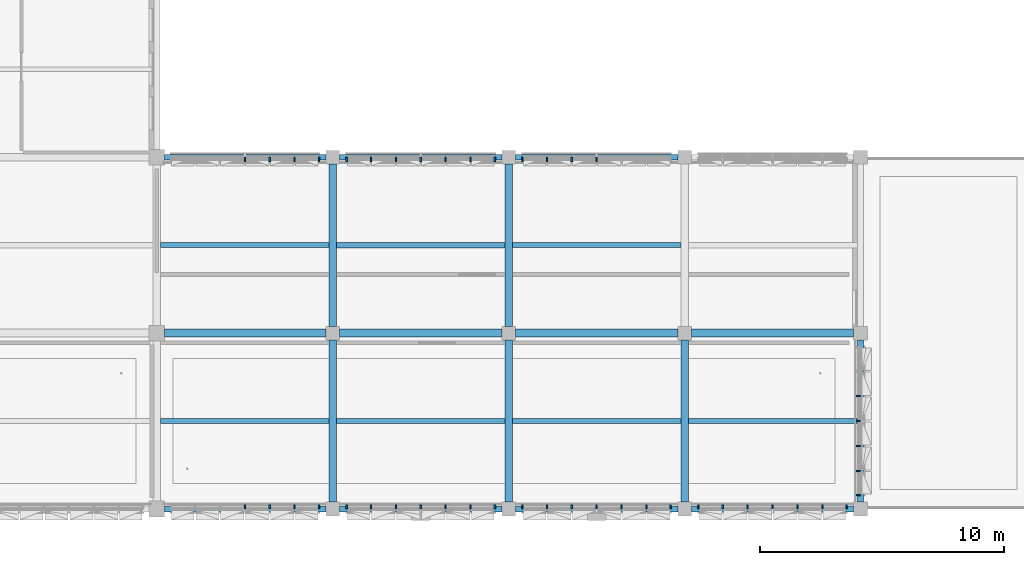
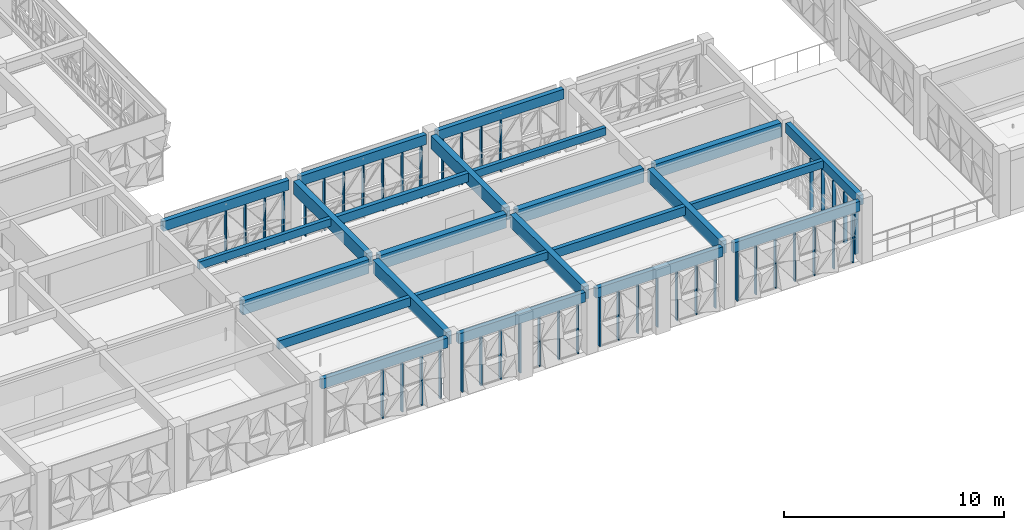
# One storey, part 4 of 85: 45 members, 24 beams, 8 elements without a shape of their own.
"""IFC4 building model written with IfcOpenShell, lengths in metres."""

from ifc_helpers import new_model, si_unit, direction, frame, origin, origin_2d, place, context, subcontext, project, spatial, rectangle, extrude, material, material_profile, profile_set, type_object, element, aggregate, save


model = new_model("IFC4")

# Units and contexts
model_context = context("Model", 3, precision=1e-05, world=origin(), true_north=direction((0.0, 1.0)))
body_context = subcontext(model_context, "Body", "Model", "MODEL_VIEW")
ifc_project = project(units=[si_unit("LENGTHUNIT", "METRE"), si_unit("AREAUNIT", "SQUARE_METRE"), si_unit("VOLUMEUNIT", "CUBIC_METRE"), si_unit("PLANEANGLEUNIT", "RADIAN"), si_unit("MASSUNIT", "GRAM", prefix="KILO")], contexts=[model_context])

# Site, building, storey
site_placement = place(None, origin())
site = spatial("IfcSite", under=ifc_project, at=site_placement, CompositionType="ELEMENT")
building_placement = place(site_placement, origin())
building = spatial("IfcBuilding", under=site, at=building_placement, Name="Alvorim Cloister Faculty of Sciences", CompositionType="ELEMENT")
storey_placement = place(building_placement, frame((0.0, 0.0, 8.550048828125)))
storey = spatial("IfcBuildingStorey", under=building, at=storey_placement, Name="L02", CompositionType="ELEMENT", Elevation=8.550048828125)

# Beams
ifc_material_1 = material(Name="Glulam GL32h", Category="wood")
ifc_material_profile_1 = material_profile(ifc_material_1, rectangle(XDim=0.300048828125, YDim=0.719970703125, at=origin_2d()), Name="GL32-BM-300x720")
ifc_profile_set_1 = profile_set([ifc_material_profile_1], Name="Glulam GL32h")
beam_type_1 = type_object("IfcBeamType", Name="BM-GL-300x720", PredefinedType="BEAM", material=ifc_profile_set_1)
beam_1_placement = place(storey_placement, frame((36.0, 0.280029296875, 3.030029296875), z_axis=(0.0, 1.0, 0.0), x_axis=(-1.0, 0.0, 0.0)))
element("IfcBeam", 1, at=beam_1_placement, inside=storey, type_object=beam_type_1, Name="L02 Primary Girder BM-1409", PredefinedType="BEAM", context=body_context, shape_type="SweptSolid", body=[
    extrude(rectangle(XDim=0.300048828125, YDim=0.719970703125, at=origin_2d()), origin(), (0.0, 0.0, 1.0), 6.639892578125),
])
beam_2_placement = place(storey_placement, frame((36.0, 7.47998046875, 3.030029296875), z_axis=(0.0, 1.0, 0.0), x_axis=(-1.0, 0.0, 0.0)))
element("IfcBeam", 2, at=beam_2_placement, inside=storey, type_object=beam_type_1, Name="L02 Primary Girder BM-1410", PredefinedType="BEAM", context=body_context, shape_type="SweptSolid", body=[
    extrude(rectangle(XDim=0.300048828125, YDim=0.719970703125, at=origin_2d()), origin(), (0.0, 0.0, 1.0), 6.64013671875),
])
beam_3_placement = place(storey_placement, frame((43.199951171875, 0.280029296875, 3.030029296875), z_axis=(0.0, 1.0, 0.0), x_axis=(-1.0, 0.0, 0.0)))
element("IfcBeam", 3, at=beam_3_placement, inside=storey, type_object=beam_type_1, Name="L02 Primary Girder BM-1413", PredefinedType="BEAM", context=body_context, shape_type="SweptSolid", body=[
    extrude(rectangle(XDim=0.300048828125, YDim=0.719970703125, at=origin_2d()), origin(), (0.0, 0.0, 1.0), 6.639892578125),
])
beam_4_placement = place(storey_placement, frame((43.199951171875, 7.47998046875, 3.030029296875), z_axis=(0.0, 1.0, 0.0), x_axis=(-1.0, 0.0, 0.0)))
element("IfcBeam", 4, at=beam_4_placement, inside=storey, type_object=beam_type_1, Name="L02 Primary Girder BM-1414", PredefinedType="BEAM", context=body_context, shape_type="SweptSolid", body=[
    extrude(rectangle(XDim=0.300048828125, YDim=0.719970703125, at=origin_2d()), origin(), (0.0, 0.0, 1.0), 6.64013671875),
])
beam_5_placement = place(storey_placement, frame((50.39990234375, 0.280029296875, 3.030029296875), z_axis=(0.0, 1.0, 0.0), x_axis=(-1.0, 0.0, 0.0)))
element("IfcBeam", 5, at=beam_5_placement, inside=storey, type_object=beam_type_1, Name="L02 Primary Girder BM-1415", PredefinedType="BEAM", context=body_context, shape_type="SweptSolid", body=[
    extrude(rectangle(XDim=0.300048828125, YDim=0.719970703125, at=origin_2d()), origin(), (0.0, 0.0, 1.0), 6.639892578125),
])
ifc_material_profile_2 = material_profile(ifc_material_1, rectangle(XDim=0.320068359375, YDim=0.780029296875, at=origin_2d()), Name="GL32-BM-320x780")
ifc_profile_set_2 = profile_set([ifc_material_profile_2], Name="Glulam GL32h")
beam_type_2 = type_object("IfcBeamType", Name="BM-GL-320x780", PredefinedType="BEAM", material=ifc_profile_set_2)
beam_6_placement = place(storey_placement, frame((29.1201171875, 7.199951171875, 3.0), z_axis=(1.0, 0.0, 0.0), x_axis=(0.0, 1.0, 0.0)))
element("IfcBeam", 6, at=beam_6_placement, inside=storey, type_object=beam_type_2, Name="L02 Primary Beam BM-1261", PredefinedType="BEAM", context=body_context, shape_type="SweptSolid", body=[
    extrude(rectangle(XDim=0.320068359375, YDim=0.780029296875, at=origin_2d()), origin(), (0.0, 0.0, 1.0), 6.599853515625),
])
beam_7_placement = place(storey_placement, frame((36.280029296875, 7.199951171875, 3.0), z_axis=(1.0, 0.0, 0.0), x_axis=(0.0, 1.0, 0.0)))
element("IfcBeam", 7, at=beam_7_placement, inside=storey, type_object=beam_type_2, Name="L02 Primary Beam BM-1262", PredefinedType="BEAM", context=body_context, shape_type="SweptSolid", body=[
    extrude(rectangle(XDim=0.320068359375, YDim=0.780029296875, at=origin_2d()), origin(), (0.0, 0.0, 1.0), 6.639892578125),
])
for number, where, z_axis, x_axis, name in (
    (8, (43.47998046875, 7.199951171875, 3.0), (1.0, 0.0, 0.0), (0.0, 1.0, 0.0), "L02 Primary Beam BM-1263"),
    (9, (50.679931640625, 7.199951171875, 3.0), (1.0, 0.0, 0.0), (0.0, 1.0, 0.0), "L02 Primary Beam BM-1264"),
):
    element("IfcBeam", number, at=place(storey_placement, frame(where, z_axis=z_axis, x_axis=x_axis)), inside=storey, type_object=beam_type_2, Name=name, PredefinedType="BEAM", context=body_context, shape_type="SweptSolid", body=[
        extrude(rectangle(XDim=0.320068359375, YDim=0.780029296875, at=origin_2d()), origin(), (0.0, 0.0, 1.0), 6.64013671875),
    ])
ifc_material_2 = material(Name="Glulam GL28h", Category="wood")
ifc_material_profile_3 = material_profile(ifc_material_2, rectangle(XDim=0.199951171875, YDim=0.419921875, at=origin_2d()), Name="GL28-JST-200x420")
ifc_profile_set_3 = profile_set([ifc_material_profile_3], Name="Glulam GL28h")
beam_type_3 = type_object("IfcBeamType", Name="BM-JST-GL-200x420", PredefinedType="JOIST", material=ifc_profile_set_3)
for number, where, z_axis, x_axis, name in (
    (10, (28.949951171875, 10.800048828125, 3.179931640625), (1.0, 0.0, 0.0), (0.0, 1.0, 0.0), "L02 Secondary Floor Joist BM-1484"),
    (11, (36.14990234375, 3.60009765625, 3.179931640625), (1.0, 0.0, 0.0), (0.0, 1.0, 0.0), "L02 Secondary Floor Joist BM-1487"),
):
    element("IfcBeam", number, at=place(storey_placement, frame(where, z_axis=z_axis, x_axis=x_axis)), inside=storey, type_object=beam_type_3, Name=name, PredefinedType="JOIST", context=body_context, shape_type="SweptSolid", body=[
        extrude(rectangle(XDim=0.199951171875, YDim=0.419921875, at=origin_2d()), origin(), (0.0, 0.0, 1.0), 6.900146484375),
    ])
beam_8_placement = place(storey_placement, frame((43.35009765625, 10.800048828125, 3.179931640625), z_axis=(1.0, 0.0, 0.0), x_axis=(0.0, 1.0, 0.0)))
element("IfcBeam", 12, at=beam_8_placement, inside=storey, type_object=beam_type_3, Name="L02 Secondary Floor Joist BM-1490", PredefinedType="JOIST", context=body_context, shape_type="SweptSolid", body=[
    extrude(rectangle(XDim=0.199951171875, YDim=0.419921875, at=origin_2d()), origin(), (0.0, 0.0, 1.0), 6.89990234375),
])
beam_9_placement = place(storey_placement, frame((50.550048828125, 3.60009765625, 3.179931640625), z_axis=(1.0, 0.0, 0.0), x_axis=(0.0, 1.0, 0.0)))
element("IfcBeam", 13, at=beam_9_placement, inside=storey, type_object=beam_type_3, Name="L02 Secondary Floor Joist BM-1491", PredefinedType="JOIST", context=body_context, shape_type="SweptSolid", body=[
    extrude(rectangle(XDim=0.199951171875, YDim=0.419921875, at=origin_2d()), origin(), (0.0, 0.0, 1.0), 6.929931640625),
])
ifc_material_profile_4 = material_profile(ifc_material_2, rectangle(XDim=0.219970703125, YDim=0.47998046875, at=origin_2d()), Name="GL28-JST-220x480")
ifc_profile_set_4 = profile_set([ifc_material_profile_4], Name="Glulam GL28h")
beam_type_4 = type_object("IfcBeamType", Name="BM-JST-GL-220x480", PredefinedType="JOIST", material=ifc_profile_set_4)
for number, where, z_axis, x_axis, name in (
    (14, (28.949951171875, 3.60009765625, 3.14990234375), (1.0, 0.0, 0.0), (0.0, 1.0, 0.0), "L02 Secondary Floor Joist BM-1483"),
    (15, (36.14990234375, 10.800048828125, 3.14990234375), (1.0, 0.0, 0.0), (0.0, 1.0, 0.0), "L02 Secondary Floor Joist BM-1488"),
):
    element("IfcBeam", number, at=place(storey_placement, frame(where, z_axis=z_axis, x_axis=x_axis)), inside=storey, type_object=beam_type_4, Name=name, PredefinedType="JOIST", context=body_context, shape_type="SweptSolid", body=[
        extrude(rectangle(XDim=0.219970703125, YDim=0.47998046875, at=origin_2d()), origin(), (0.0, 0.0, 1.0), 6.900146484375),
    ])
beam_10_placement = place(storey_placement, frame((43.35009765625, 3.60009765625, 3.14990234375), z_axis=(1.0, 0.0, 0.0), x_axis=(0.0, 1.0, 0.0)))
element("IfcBeam", 16, at=beam_10_placement, inside=storey, type_object=beam_type_4, Name="L02 Secondary Floor Joist BM-1489", PredefinedType="JOIST", context=body_context, shape_type="SweptSolid", body=[
    extrude(rectangle(XDim=0.219970703125, YDim=0.47998046875, at=origin_2d()), origin(), (0.0, 0.0, 1.0), 6.89990234375),
])
ifc_material_profile_5 = material_profile(ifc_material_2, rectangle(XDim=0.239990234375, YDim=0.5400390625, at=origin_2d()), Name="GL28-SPD-240x540")
ifc_profile_set_5 = profile_set([ifc_material_profile_5], Name="Glulam GL28h")
beam_type_5 = type_object("IfcBeamType", Name="BM-SPD-GL-240x540", PredefinedType="SPANDREL", material=ifc_profile_set_5)
beam_11_placement = place(storey_placement, frame((29.1201171875, 0.0, 3.119873046875), z_axis=(1.0, 0.0, 0.0), x_axis=(0.0, 1.0, 0.0)))
element("IfcBeam", 17, at=beam_11_placement, inside=storey, type_object=beam_type_5, Name="L02 Primary Beam BM-1246", PredefinedType="SPANDREL", context=body_context, shape_type="SweptSolid", body=[
    extrude(rectangle(XDim=0.239990234375, YDim=0.5400390625, at=origin_2d()), origin(), (0.0, 0.0, 1.0), 6.599853515625),
])
beam_12_placement = place(storey_placement, frame((36.280029296875, 0.0, 3.119873046875), z_axis=(1.0, 0.0, 0.0), x_axis=(0.0, 1.0, 0.0)))
element("IfcBeam", 18, at=beam_12_placement, inside=storey, type_object=beam_type_5, Name="L02 Primary Beam BM-1247", PredefinedType="SPANDREL", context=body_context, shape_type="SweptSolid", body=[
    extrude(rectangle(XDim=0.239990234375, YDim=0.5400390625, at=origin_2d()), origin(), (0.0, 0.0, 1.0), 6.639892578125),
])
for number, where, z_axis, x_axis, name in (
    (19, (43.47998046875, 0.0, 3.119873046875), (1.0, 0.0, 0.0), (0.0, 1.0, 0.0), "L02 Primary Beam BM-1248"),
    (20, (50.679931640625, 0.0, 3.119873046875), (1.0, 0.0, 0.0), (0.0, 1.0, 0.0), "L02 Primary Beam BM-1249"),
):
    element("IfcBeam", number, at=place(storey_placement, frame(where, z_axis=z_axis, x_axis=x_axis)), inside=storey, type_object=beam_type_5, Name=name, PredefinedType="SPANDREL", context=body_context, shape_type="SweptSolid", body=[
        extrude(rectangle(XDim=0.239990234375, YDim=0.5400390625, at=origin_2d()), origin(), (0.0, 0.0, 1.0), 6.64013671875),
    ])
beam_13_placement = place(storey_placement, frame((29.1201171875, 14.39990234375, 3.119873046875), z_axis=(1.0, 0.0, 0.0), x_axis=(0.0, 1.0, 0.0)))
element("IfcBeam", 21, at=beam_13_placement, inside=storey, type_object=beam_type_5, Name="L02 Primary Beam BM-1270", PredefinedType="SPANDREL", context=body_context, shape_type="SweptSolid", body=[
    extrude(rectangle(XDim=0.239990234375, YDim=0.5400390625, at=origin_2d()), origin(), (0.0, 0.0, 1.0), 6.599853515625),
])
beam_14_placement = place(storey_placement, frame((36.280029296875, 14.39990234375, 3.119873046875), z_axis=(1.0, 0.0, 0.0), x_axis=(0.0, 1.0, 0.0)))
element("IfcBeam", 22, at=beam_14_placement, inside=storey, type_object=beam_type_5, Name="L02 Primary Beam BM-1271", PredefinedType="SPANDREL", context=body_context, shape_type="SweptSolid", body=[
    extrude(rectangle(XDim=0.239990234375, YDim=0.5400390625, at=origin_2d()), origin(), (0.0, 0.0, 1.0), 6.639892578125),
])
beam_15_placement = place(storey_placement, frame((43.47998046875, 14.39990234375, 3.119873046875), z_axis=(1.0, 0.0, 0.0), x_axis=(0.0, 1.0, 0.0)))
element("IfcBeam", 23, at=beam_15_placement, inside=storey, type_object=beam_type_5, Name="L02 Primary Beam BM-1272", PredefinedType="SPANDREL", context=body_context, shape_type="SweptSolid", body=[
    extrude(rectangle(XDim=0.239990234375, YDim=0.5400390625, at=origin_2d()), origin(), (0.0, 0.0, 1.0), 6.64013671875),
])
beam_16_placement = place(storey_placement, frame((57.60009765625, 0.280029296875, 3.119873046875), z_axis=(0.0, 1.0, 0.0), x_axis=(-1.0, 0.0, 0.0)))
element("IfcBeam", 24, at=beam_16_placement, inside=storey, type_object=beam_type_5, Name="L02 Primary Girder BM-1417", PredefinedType="SPANDREL", context=body_context, shape_type="SweptSolid", body=[
    extrude(rectangle(XDim=0.239990234375, YDim=0.5400390625, at=origin_2d()), origin(), (0.0, 0.0, 1.0), 6.639892578125),
])

# Curtain wall, members
ifc_material_3 = material(Name="Aluminium and Low-E Glass Curtain Wall", Category="aluminium")
curtain_wall_type = type_object("IfcCurtainWallType", Name="CW-TRI-6120x2850", PredefinedType="USERDEFINED", material=ifc_material_3)
curtain_wall_1_placement = place(storey_placement, origin())
curtain_wall_1 = element("IfcCurtainWall", 25, at=curtain_wall_1_placement, inside=storey, type_object=curtain_wall_type, Name="L02 Diagonal Cassette Curtain Wall CW-0075", ObjectType="UNITISED CURTAIN WALL", PredefinedType="USERDEFINED")
ifc_material_4 = material(Name="Aluminium Alloy 6063-T6", Category="aluminium")
ifc_material_profile_6 = material_profile(ifc_material_4, rectangle(XDim=0.06494140625, YDim=0.179931640625, at=origin_2d()), Name="ALU-MUL-65x180")
ifc_profile_set_6 = profile_set([ifc_material_profile_6], Name="Aluminium Alloy 6063-T6")
member_type = type_object("IfcMemberType", Name="CW-MUL-65x180", PredefinedType="MULLION", material=ifc_profile_set_6)
member_1_placement = place(storey_placement, frame((32.39990234375, 14.31005859375, 0.0), z_axis=(0.0, 0.0, 1.0), x_axis=(1.0, 0.0, 0.0)))
member_1 = element("IfcMember", 26, at=member_1_placement, type_object=member_type, Name="CW-0075 Mullion 4", PredefinedType="MULLION", context=body_context, shape_type="SweptSolid", body=[
    extrude(rectangle(XDim=0.06494140625, YDim=0.179931640625, at=origin_2d()), origin(), (0.0, 0.0, 1.0), 2.849853515625),
])
member_2_placement = place(storey_placement, frame((33.419921875, 14.31005859375, 0.0), z_axis=(0.0, 0.0, 1.0), x_axis=(1.0, 0.0, 0.0)))
member_2 = element("IfcMember", 27, at=member_2_placement, type_object=member_type, Name="CW-0075 Mullion 5", PredefinedType="MULLION", context=body_context, shape_type="SweptSolid", body=[
    extrude(rectangle(XDim=0.06494140625, YDim=0.179931640625, at=origin_2d()), origin(), (0.0, 0.0, 1.0), 2.849853515625),
])
member_3_placement = place(storey_placement, frame((34.43994140625, 14.31005859375, 0.0), z_axis=(0.0, 0.0, 1.0), x_axis=(1.0, 0.0, 0.0)))
member_3 = element("IfcMember", 28, at=member_3_placement, type_object=member_type, Name="CW-0075 Mullion 6", PredefinedType="MULLION", context=body_context, shape_type="SweptSolid", body=[
    extrude(rectangle(XDim=0.06494140625, YDim=0.179931640625, at=origin_2d()), origin(), (0.0, 0.0, 1.0), 2.849853515625),
])
member_4_placement = place(storey_placement, frame((35.427490234375, 14.31005859375, 0.0), z_axis=(0.0, 0.0, 1.0), x_axis=(1.0, 0.0, 0.0)))
member_4 = element("IfcMember", 29, at=member_4_placement, type_object=member_type, Name="CW-0075 Mullion 7", PredefinedType="MULLION", context=body_context, shape_type="SweptSolid", body=[
    extrude(rectangle(XDim=0.06494140625, YDim=0.179931640625, at=origin_2d()), origin(), (0.0, 0.0, 1.0), 2.849853515625),
])
aggregate(curtain_wall_1, [member_1, member_2, member_3, member_4])

curtain_wall_2_placement = place(storey_placement, origin())
curtain_wall_2 = element("IfcCurtainWall", 30, at=curtain_wall_2_placement, inside=storey, type_object=curtain_wall_type, Name="L02 Diagonal Cassette Curtain Wall CW-0076", ObjectType="UNITISED CURTAIN WALL", PredefinedType="USERDEFINED")
member_5_placement = place(storey_placement, frame((36.572509765625, 14.31005859375, 0.0), z_axis=(0.0, 0.0, 1.0), x_axis=(1.0, 0.0, 0.0)))
member_5 = element("IfcMember", 31, at=member_5_placement, type_object=member_type, Name="CW-0076 Mullion 1", PredefinedType="MULLION", context=body_context, shape_type="SweptSolid", body=[
    extrude(rectangle(XDim=0.06494140625, YDim=0.179931640625, at=origin_2d()), origin(), (0.0, 0.0, 1.0), 2.849853515625),
])
member_6_placement = place(storey_placement, frame((37.56005859375, 14.31005859375, 0.0), z_axis=(0.0, 0.0, 1.0), x_axis=(1.0, 0.0, 0.0)))
member_6 = element("IfcMember", 32, at=member_6_placement, type_object=member_type, Name="CW-0076 Mullion 2", PredefinedType="MULLION", context=body_context, shape_type="SweptSolid", body=[
    extrude(rectangle(XDim=0.06494140625, YDim=0.179931640625, at=origin_2d()), origin(), (0.0, 0.0, 1.0), 2.849853515625),
])
member_7_placement = place(storey_placement, frame((38.580078125, 14.31005859375, 0.0), z_axis=(0.0, 0.0, 1.0), x_axis=(1.0, 0.0, 0.0)))
member_7 = element("IfcMember", 33, at=member_7_placement, type_object=member_type, Name="CW-0076 Mullion 3", PredefinedType="MULLION", context=body_context, shape_type="SweptSolid", body=[
    extrude(rectangle(XDim=0.06494140625, YDim=0.179931640625, at=origin_2d()), origin(), (0.0, 0.0, 1.0), 2.849853515625),
])
member_8_placement = place(storey_placement, frame((39.60009765625, 14.31005859375, 0.0), z_axis=(0.0, 0.0, 1.0), x_axis=(1.0, 0.0, 0.0)))
member_8 = element("IfcMember", 34, at=member_8_placement, type_object=member_type, Name="CW-0076 Mullion 4", PredefinedType="MULLION", context=body_context, shape_type="SweptSolid", body=[
    extrude(rectangle(XDim=0.06494140625, YDim=0.179931640625, at=origin_2d()), origin(), (0.0, 0.0, 1.0), 2.849853515625),
])
member_9_placement = place(storey_placement, frame((40.6201171875, 14.31005859375, 0.0), z_axis=(0.0, 0.0, 1.0), x_axis=(1.0, 0.0, 0.0)))
member_9 = element("IfcMember", 35, at=member_9_placement, type_object=member_type, Name="CW-0076 Mullion 5", PredefinedType="MULLION", context=body_context, shape_type="SweptSolid", body=[
    extrude(rectangle(XDim=0.06494140625, YDim=0.179931640625, at=origin_2d()), origin(), (0.0, 0.0, 1.0), 2.849853515625),
])
member_10_placement = place(storey_placement, frame((41.639892578125, 14.31005859375, 0.0), z_axis=(0.0, 0.0, 1.0), x_axis=(1.0, 0.0, 0.0)))
member_10 = element("IfcMember", 36, at=member_10_placement, type_object=member_type, Name="CW-0076 Mullion 6", PredefinedType="MULLION", context=body_context, shape_type="SweptSolid", body=[
    extrude(rectangle(XDim=0.06494140625, YDim=0.179931640625, at=origin_2d()), origin(), (0.0, 0.0, 1.0), 2.849853515625),
])
member_11_placement = place(storey_placement, frame((42.62744140625, 14.31005859375, 0.0), z_axis=(0.0, 0.0, 1.0), x_axis=(1.0, 0.0, 0.0)))
member_11 = element("IfcMember", 37, at=member_11_placement, type_object=member_type, Name="CW-0076 Mullion 7", PredefinedType="MULLION", context=body_context, shape_type="SweptSolid", body=[
    extrude(rectangle(XDim=0.06494140625, YDim=0.179931640625, at=origin_2d()), origin(), (0.0, 0.0, 1.0), 2.849853515625),
])
aggregate(curtain_wall_2, [member_5, member_6, member_7, member_8, member_9, member_10, member_11])

curtain_wall_3_placement = place(storey_placement, origin())
curtain_wall_3 = element("IfcCurtainWall", 38, at=curtain_wall_3_placement, inside=storey, type_object=curtain_wall_type, Name="L02 Diagonal Cassette Curtain Wall CW-0077", ObjectType="UNITISED CURTAIN WALL", PredefinedType="USERDEFINED")
member_12_placement = place(storey_placement, frame((43.7724609375, 14.31005859375, 0.0), z_axis=(0.0, 0.0, 1.0), x_axis=(1.0, 0.0, 0.0)))
member_12 = element("IfcMember", 39, at=member_12_placement, type_object=member_type, Name="CW-0077 Mullion 1", PredefinedType="MULLION", context=body_context, shape_type="SweptSolid", body=[
    extrude(rectangle(XDim=0.06494140625, YDim=0.179931640625, at=origin_2d()), origin(), (0.0, 0.0, 1.0), 2.849853515625),
])
member_13_placement = place(storey_placement, frame((44.760009765625, 14.31005859375, 0.0), z_axis=(0.0, 0.0, 1.0), x_axis=(1.0, 0.0, 0.0)))
member_13 = element("IfcMember", 40, at=member_13_placement, type_object=member_type, Name="CW-0077 Mullion 2", PredefinedType="MULLION", context=body_context, shape_type="SweptSolid", body=[
    extrude(rectangle(XDim=0.06494140625, YDim=0.179931640625, at=origin_2d()), origin(), (0.0, 0.0, 1.0), 2.849853515625),
])
member_14_placement = place(storey_placement, frame((45.780029296875, 14.31005859375, 0.0), z_axis=(0.0, 0.0, 1.0), x_axis=(1.0, 0.0, 0.0)))
member_14 = element("IfcMember", 41, at=member_14_placement, type_object=member_type, Name="CW-0077 Mullion 3", PredefinedType="MULLION", context=body_context, shape_type="SweptSolid", body=[
    extrude(rectangle(XDim=0.06494140625, YDim=0.179931640625, at=origin_2d()), origin(), (0.0, 0.0, 1.0), 2.849853515625),
])
member_15_placement = place(storey_placement, frame((46.800048828125, 14.31005859375, 0.0), z_axis=(0.0, 0.0, 1.0), x_axis=(1.0, 0.0, 0.0)))
member_15 = element("IfcMember", 42, at=member_15_placement, type_object=member_type, Name="CW-0077 Mullion 4", PredefinedType="MULLION", context=body_context, shape_type="SweptSolid", body=[
    extrude(rectangle(XDim=0.06494140625, YDim=0.179931640625, at=origin_2d()), origin(), (0.0, 0.0, 1.0), 2.849853515625),
])
aggregate(curtain_wall_3, [member_12, member_13, member_14, member_15])

curtain_wall_4_placement = place(storey_placement, origin())
curtain_wall_4 = element("IfcCurtainWall", 43, at=curtain_wall_4_placement, inside=storey, type_object=curtain_wall_type, Name="L02 Diagonal Cassette Curtain Wall CW-0079", ObjectType="UNITISED CURTAIN WALL", PredefinedType="USERDEFINED")
member_16_placement = place(storey_placement, frame((57.510009765625, 0.572509765625, 0.0), z_axis=(0.0, 0.0, 1.0), x_axis=(0.0, 1.0, 0.0)))
member_16 = element("IfcMember", 44, at=member_16_placement, type_object=member_type, Name="CW-0079 Mullion 1", PredefinedType="MULLION", context=body_context, shape_type="SweptSolid", body=[
    extrude(rectangle(XDim=0.06494140625, YDim=0.179931640625, at=origin_2d()), origin(), (0.0, 0.0, 1.0), 2.849853515625),
])
member_17_placement = place(storey_placement, frame((57.510009765625, 1.56005859375, 0.0), z_axis=(0.0, 0.0, 1.0), x_axis=(0.0, 1.0, 0.0)))
member_17 = element("IfcMember", 45, at=member_17_placement, type_object=member_type, Name="CW-0079 Mullion 2", PredefinedType="MULLION", context=body_context, shape_type="SweptSolid", body=[
    extrude(rectangle(XDim=0.06494140625, YDim=0.179931640625, at=origin_2d()), origin(), (0.0, 0.0, 1.0), 2.849853515625),
])
member_18_placement = place(storey_placement, frame((57.510009765625, 2.580078125, 0.0), z_axis=(0.0, 0.0, 1.0), x_axis=(0.0, 1.0, 0.0)))
member_18 = element("IfcMember", 46, at=member_18_placement, type_object=member_type, Name="CW-0079 Mullion 3", PredefinedType="MULLION", context=body_context, shape_type="SweptSolid", body=[
    extrude(rectangle(XDim=0.06494140625, YDim=0.179931640625, at=origin_2d()), origin(), (0.0, 0.0, 1.0), 2.849853515625),
])
member_19_placement = place(storey_placement, frame((57.510009765625, 3.60009765625, 0.0), z_axis=(0.0, 0.0, 1.0), x_axis=(0.0, 1.0, 0.0)))
member_19 = element("IfcMember", 47, at=member_19_placement, type_object=member_type, Name="CW-0079 Mullion 4", PredefinedType="MULLION", context=body_context, shape_type="SweptSolid", body=[
    extrude(rectangle(XDim=0.06494140625, YDim=0.179931640625, at=origin_2d()), origin(), (0.0, 0.0, 1.0), 2.849853515625),
])
member_20_placement = place(storey_placement, frame((57.510009765625, 4.6201171875, 0.0), z_axis=(0.0, 0.0, 1.0), x_axis=(0.0, 1.0, 0.0)))
member_20 = element("IfcMember", 48, at=member_20_placement, type_object=member_type, Name="CW-0079 Mullion 5", PredefinedType="MULLION", context=body_context, shape_type="SweptSolid", body=[
    extrude(rectangle(XDim=0.06494140625, YDim=0.179931640625, at=origin_2d()), origin(), (0.0, 0.0, 1.0), 2.849853515625),
])
aggregate(curtain_wall_4, [member_16, member_17, member_18, member_19, member_20])

curtain_wall_5_placement = place(storey_placement, origin())
curtain_wall_5 = element("IfcCurtainWall", 49, at=curtain_wall_5_placement, inside=storey, type_object=curtain_wall_type, Name="L02 Diagonal Cassette Curtain Wall CW-0080", ObjectType="UNITISED CURTAIN WALL", PredefinedType="USERDEFINED")
member_21_placement = place(storey_placement, frame((50.972412109375, 0.090087890625, 0.0), z_axis=(0.0, 0.0, 1.0), x_axis=(1.0, 0.0, 0.0)))
member_21 = element("IfcMember", 50, at=member_21_placement, type_object=member_type, Name="CW-0080 Mullion 1", PredefinedType="MULLION", context=body_context, shape_type="SweptSolid", body=[
    extrude(rectangle(XDim=0.06494140625, YDim=0.179931640625, at=origin_2d()), origin(), (0.0, 0.0, 1.0), 2.849853515625),
])
member_22_placement = place(storey_placement, frame((51.9599609375, 0.090087890625, 0.0), z_axis=(0.0, 0.0, 1.0), x_axis=(1.0, 0.0, 0.0)))
member_22 = element("IfcMember", 51, at=member_22_placement, type_object=member_type, Name="CW-0080 Mullion 2", PredefinedType="MULLION", context=body_context, shape_type="SweptSolid", body=[
    extrude(rectangle(XDim=0.06494140625, YDim=0.179931640625, at=origin_2d()), origin(), (0.0, 0.0, 1.0), 2.849853515625),
])
member_23_placement = place(storey_placement, frame((52.97998046875, 0.090087890625, 0.0), z_axis=(0.0, 0.0, 1.0), x_axis=(1.0, 0.0, 0.0)))
member_23 = element("IfcMember", 52, at=member_23_placement, type_object=member_type, Name="CW-0080 Mullion 3", PredefinedType="MULLION", context=body_context, shape_type="SweptSolid", body=[
    extrude(rectangle(XDim=0.06494140625, YDim=0.179931640625, at=origin_2d()), origin(), (0.0, 0.0, 1.0), 2.849853515625),
])
member_24_placement = place(storey_placement, frame((54.0, 0.090087890625, 0.0), z_axis=(0.0, 0.0, 1.0), x_axis=(1.0, 0.0, 0.0)))
member_24 = element("IfcMember", 53, at=member_24_placement, type_object=member_type, Name="CW-0080 Mullion 4", PredefinedType="MULLION", context=body_context, shape_type="SweptSolid", body=[
    extrude(rectangle(XDim=0.06494140625, YDim=0.179931640625, at=origin_2d()), origin(), (0.0, 0.0, 1.0), 2.849853515625),
])
member_25_placement = place(storey_placement, frame((55.02001953125, 0.090087890625, 0.0), z_axis=(0.0, 0.0, 1.0), x_axis=(1.0, 0.0, 0.0)))
member_25 = element("IfcMember", 54, at=member_25_placement, type_object=member_type, Name="CW-0080 Mullion 5", PredefinedType="MULLION", context=body_context, shape_type="SweptSolid", body=[
    extrude(rectangle(XDim=0.06494140625, YDim=0.179931640625, at=origin_2d()), origin(), (0.0, 0.0, 1.0), 2.849853515625),
])
member_26_placement = place(storey_placement, frame((56.0400390625, 0.090087890625, 0.0), z_axis=(0.0, 0.0, 1.0), x_axis=(1.0, 0.0, 0.0)))
member_26 = element("IfcMember", 55, at=member_26_placement, type_object=member_type, Name="CW-0080 Mullion 6", PredefinedType="MULLION", context=body_context, shape_type="SweptSolid", body=[
    extrude(rectangle(XDim=0.06494140625, YDim=0.179931640625, at=origin_2d()), origin(), (0.0, 0.0, 1.0), 2.849853515625),
])
member_27_placement = place(storey_placement, frame((57.027587890625, 0.090087890625, 0.0), z_axis=(0.0, 0.0, 1.0), x_axis=(1.0, 0.0, 0.0)))
member_27 = element("IfcMember", 56, at=member_27_placement, type_object=member_type, Name="CW-0080 Mullion 7", PredefinedType="MULLION", context=body_context, shape_type="SweptSolid", body=[
    extrude(rectangle(XDim=0.06494140625, YDim=0.179931640625, at=origin_2d()), origin(), (0.0, 0.0, 1.0), 2.849853515625),
])
aggregate(curtain_wall_5, [member_21, member_22, member_23, member_24, member_25, member_26, member_27])

curtain_wall_6_placement = place(storey_placement, origin())
curtain_wall_6 = element("IfcCurtainWall", 57, at=curtain_wall_6_placement, inside=storey, type_object=curtain_wall_type, Name="L02 Diagonal Cassette Curtain Wall CW-0081", ObjectType="UNITISED CURTAIN WALL", PredefinedType="USERDEFINED")
member_28_placement = place(storey_placement, frame((43.7724609375, 0.090087890625, 0.0), z_axis=(0.0, 0.0, 1.0), x_axis=(1.0, 0.0, 0.0)))
member_28 = element("IfcMember", 58, at=member_28_placement, type_object=member_type, Name="CW-0081 Mullion 1", PredefinedType="MULLION", context=body_context, shape_type="SweptSolid", body=[
    extrude(rectangle(XDim=0.06494140625, YDim=0.179931640625, at=origin_2d()), origin(), (0.0, 0.0, 1.0), 2.849853515625),
])
member_29_placement = place(storey_placement, frame((44.760009765625, 0.090087890625, 0.0), z_axis=(0.0, 0.0, 1.0), x_axis=(1.0, 0.0, 0.0)))
member_29 = element("IfcMember", 59, at=member_29_placement, type_object=member_type, Name="CW-0081 Mullion 2", PredefinedType="MULLION", context=body_context, shape_type="SweptSolid", body=[
    extrude(rectangle(XDim=0.06494140625, YDim=0.179931640625, at=origin_2d()), origin(), (0.0, 0.0, 1.0), 2.849853515625),
])
member_30_placement = place(storey_placement, frame((45.780029296875, 0.090087890625, 0.0), z_axis=(0.0, 0.0, 1.0), x_axis=(1.0, 0.0, 0.0)))
member_30 = element("IfcMember", 60, at=member_30_placement, type_object=member_type, Name="CW-0081 Mullion 3", PredefinedType="MULLION", context=body_context, shape_type="SweptSolid", body=[
    extrude(rectangle(XDim=0.06494140625, YDim=0.179931640625, at=origin_2d()), origin(), (0.0, 0.0, 1.0), 2.849853515625),
])
member_31_placement = place(storey_placement, frame((46.800048828125, 0.090087890625, 0.0), z_axis=(0.0, 0.0, 1.0), x_axis=(1.0, 0.0, 0.0)))
member_31 = element("IfcMember", 61, at=member_31_placement, type_object=member_type, Name="CW-0081 Mullion 4", PredefinedType="MULLION", context=body_context, shape_type="SweptSolid", body=[
    extrude(rectangle(XDim=0.06494140625, YDim=0.179931640625, at=origin_2d()), origin(), (0.0, 0.0, 1.0), 2.849853515625),
])
member_32_placement = place(storey_placement, frame((47.820068359375, 0.090087890625, 0.0), z_axis=(0.0, 0.0, 1.0), x_axis=(1.0, 0.0, 0.0)))
member_32 = element("IfcMember", 62, at=member_32_placement, type_object=member_type, Name="CW-0081 Mullion 5", PredefinedType="MULLION", context=body_context, shape_type="SweptSolid", body=[
    extrude(rectangle(XDim=0.06494140625, YDim=0.179931640625, at=origin_2d()), origin(), (0.0, 0.0, 1.0), 2.849853515625),
])
member_33_placement = place(storey_placement, frame((48.840087890625, 0.090087890625, 0.0), z_axis=(0.0, 0.0, 1.0), x_axis=(1.0, 0.0, 0.0)))
member_33 = element("IfcMember", 63, at=member_33_placement, type_object=member_type, Name="CW-0081 Mullion 6", PredefinedType="MULLION", context=body_context, shape_type="SweptSolid", body=[
    extrude(rectangle(XDim=0.06494140625, YDim=0.179931640625, at=origin_2d()), origin(), (0.0, 0.0, 1.0), 2.849853515625),
])
member_34_placement = place(storey_placement, frame((49.827392578125, 0.090087890625, 0.0), z_axis=(0.0, 0.0, 1.0), x_axis=(1.0, 0.0, 0.0)))
member_34 = element("IfcMember", 64, at=member_34_placement, type_object=member_type, Name="CW-0081 Mullion 7", PredefinedType="MULLION", context=body_context, shape_type="SweptSolid", body=[
    extrude(rectangle(XDim=0.06494140625, YDim=0.179931640625, at=origin_2d()), origin(), (0.0, 0.0, 1.0), 2.849853515625),
])
aggregate(curtain_wall_6, [member_28, member_29, member_30, member_31, member_32, member_33, member_34])

curtain_wall_7_placement = place(storey_placement, origin())
curtain_wall_7 = element("IfcCurtainWall", 65, at=curtain_wall_7_placement, inside=storey, type_object=curtain_wall_type, Name="L02 Diagonal Cassette Curtain Wall CW-0082", ObjectType="UNITISED CURTAIN WALL", PredefinedType="USERDEFINED")
member_35_placement = place(storey_placement, frame((36.572509765625, 0.090087890625, 0.0), z_axis=(0.0, 0.0, 1.0), x_axis=(1.0, 0.0, 0.0)))
member_35 = element("IfcMember", 66, at=member_35_placement, type_object=member_type, Name="CW-0082 Mullion 1", PredefinedType="MULLION", context=body_context, shape_type="SweptSolid", body=[
    extrude(rectangle(XDim=0.06494140625, YDim=0.179931640625, at=origin_2d()), origin(), (0.0, 0.0, 1.0), 2.849853515625),
])
member_36_placement = place(storey_placement, frame((37.56005859375, 0.090087890625, 0.0), z_axis=(0.0, 0.0, 1.0), x_axis=(1.0, 0.0, 0.0)))
member_36 = element("IfcMember", 67, at=member_36_placement, type_object=member_type, Name="CW-0082 Mullion 2", PredefinedType="MULLION", context=body_context, shape_type="SweptSolid", body=[
    extrude(rectangle(XDim=0.06494140625, YDim=0.179931640625, at=origin_2d()), origin(), (0.0, 0.0, 1.0), 2.849853515625),
])
member_37_placement = place(storey_placement, frame((38.580078125, 0.090087890625, 0.0), z_axis=(0.0, 0.0, 1.0), x_axis=(1.0, 0.0, 0.0)))
member_37 = element("IfcMember", 68, at=member_37_placement, type_object=member_type, Name="CW-0082 Mullion 3", PredefinedType="MULLION", context=body_context, shape_type="SweptSolid", body=[
    extrude(rectangle(XDim=0.06494140625, YDim=0.179931640625, at=origin_2d()), origin(), (0.0, 0.0, 1.0), 2.849853515625),
])
member_38_placement = place(storey_placement, frame((39.60009765625, 0.090087890625, 0.0), z_axis=(0.0, 0.0, 1.0), x_axis=(1.0, 0.0, 0.0)))
member_38 = element("IfcMember", 69, at=member_38_placement, type_object=member_type, Name="CW-0082 Mullion 4", PredefinedType="MULLION", context=body_context, shape_type="SweptSolid", body=[
    extrude(rectangle(XDim=0.06494140625, YDim=0.179931640625, at=origin_2d()), origin(), (0.0, 0.0, 1.0), 2.849853515625),
])
member_39_placement = place(storey_placement, frame((40.6201171875, 0.090087890625, 0.0), z_axis=(0.0, 0.0, 1.0), x_axis=(1.0, 0.0, 0.0)))
member_39 = element("IfcMember", 70, at=member_39_placement, type_object=member_type, Name="CW-0082 Mullion 5", PredefinedType="MULLION", context=body_context, shape_type="SweptSolid", body=[
    extrude(rectangle(XDim=0.06494140625, YDim=0.179931640625, at=origin_2d()), origin(), (0.0, 0.0, 1.0), 2.849853515625),
])
member_40_placement = place(storey_placement, frame((41.639892578125, 0.090087890625, 0.0), z_axis=(0.0, 0.0, 1.0), x_axis=(1.0, 0.0, 0.0)))
member_40 = element("IfcMember", 71, at=member_40_placement, type_object=member_type, Name="CW-0082 Mullion 6", PredefinedType="MULLION", context=body_context, shape_type="SweptSolid", body=[
    extrude(rectangle(XDim=0.06494140625, YDim=0.179931640625, at=origin_2d()), origin(), (0.0, 0.0, 1.0), 2.849853515625),
])
member_41_placement = place(storey_placement, frame((42.62744140625, 0.090087890625, 0.0), z_axis=(0.0, 0.0, 1.0), x_axis=(1.0, 0.0, 0.0)))
member_41 = element("IfcMember", 72, at=member_41_placement, type_object=member_type, Name="CW-0082 Mullion 7", PredefinedType="MULLION", context=body_context, shape_type="SweptSolid", body=[
    extrude(rectangle(XDim=0.06494140625, YDim=0.179931640625, at=origin_2d()), origin(), (0.0, 0.0, 1.0), 2.849853515625),
])
aggregate(curtain_wall_7, [member_35, member_36, member_37, member_38, member_39, member_40, member_41])

curtain_wall_8_placement = place(storey_placement, origin())
curtain_wall_8 = element("IfcCurtainWall", 73, at=curtain_wall_8_placement, inside=storey, type_object=curtain_wall_type, Name="L02 Diagonal Cassette Curtain Wall CW-0083", ObjectType="UNITISED CURTAIN WALL", PredefinedType="USERDEFINED")
member_42_placement = place(storey_placement, frame((32.39990234375, 0.090087890625, 0.0), z_axis=(0.0, 0.0, 1.0), x_axis=(1.0, 0.0, 0.0)))
member_42 = element("IfcMember", 74, at=member_42_placement, type_object=member_type, Name="CW-0083 Mullion 4", PredefinedType="MULLION", context=body_context, shape_type="SweptSolid", body=[
    extrude(rectangle(XDim=0.06494140625, YDim=0.179931640625, at=origin_2d()), origin(), (0.0, 0.0, 1.0), 2.849853515625),
])
member_43_placement = place(storey_placement, frame((33.419921875, 0.090087890625, 0.0), z_axis=(0.0, 0.0, 1.0), x_axis=(1.0, 0.0, 0.0)))
member_43 = element("IfcMember", 75, at=member_43_placement, type_object=member_type, Name="CW-0083 Mullion 5", PredefinedType="MULLION", context=body_context, shape_type="SweptSolid", body=[
    extrude(rectangle(XDim=0.06494140625, YDim=0.179931640625, at=origin_2d()), origin(), (0.0, 0.0, 1.0), 2.849853515625),
])
member_44_placement = place(storey_placement, frame((34.43994140625, 0.090087890625, 0.0), z_axis=(0.0, 0.0, 1.0), x_axis=(1.0, 0.0, 0.0)))
member_44 = element("IfcMember", 76, at=member_44_placement, type_object=member_type, Name="CW-0083 Mullion 6", PredefinedType="MULLION", context=body_context, shape_type="SweptSolid", body=[
    extrude(rectangle(XDim=0.06494140625, YDim=0.179931640625, at=origin_2d()), origin(), (0.0, 0.0, 1.0), 2.849853515625),
])
member_45_placement = place(storey_placement, frame((35.427490234375, 0.090087890625, 0.0), z_axis=(0.0, 0.0, 1.0), x_axis=(1.0, 0.0, 0.0)))
member_45 = element("IfcMember", 77, at=member_45_placement, type_object=member_type, Name="CW-0083 Mullion 7", PredefinedType="MULLION", context=body_context, shape_type="SweptSolid", body=[
    extrude(rectangle(XDim=0.06494140625, YDim=0.179931640625, at=origin_2d()), origin(), (0.0, 0.0, 1.0), 2.849853515625),
])
aggregate(curtain_wall_8, [member_42, member_43, member_44, member_45])

save(model, "model.ifc")
